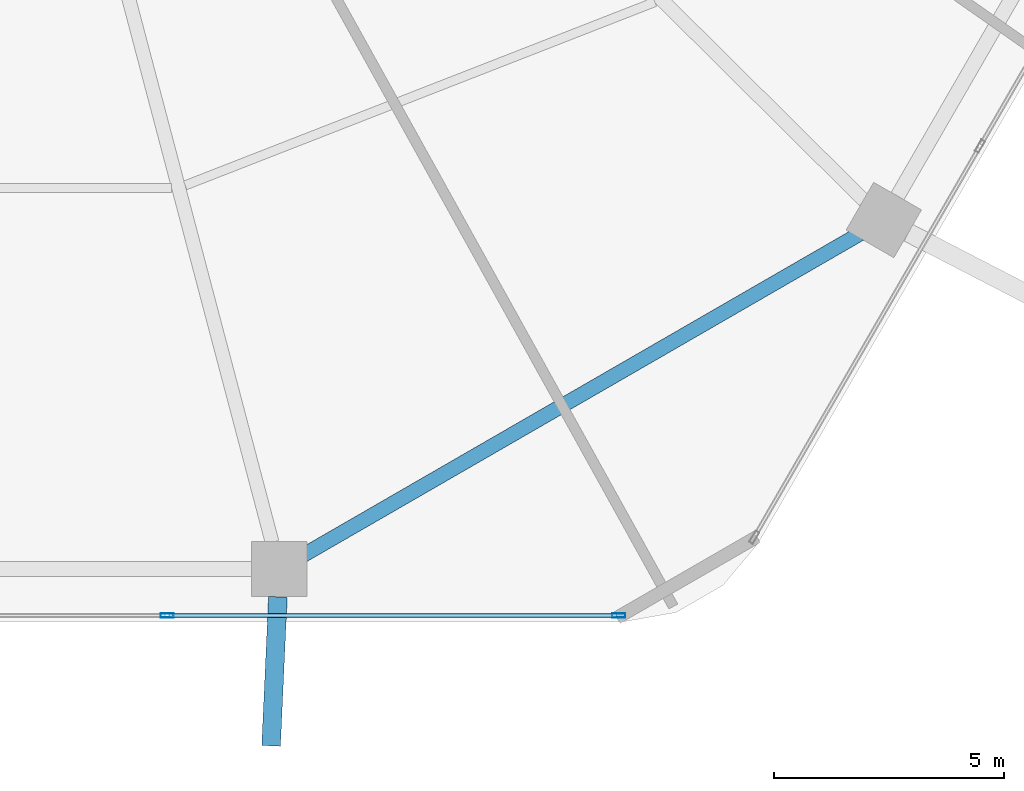
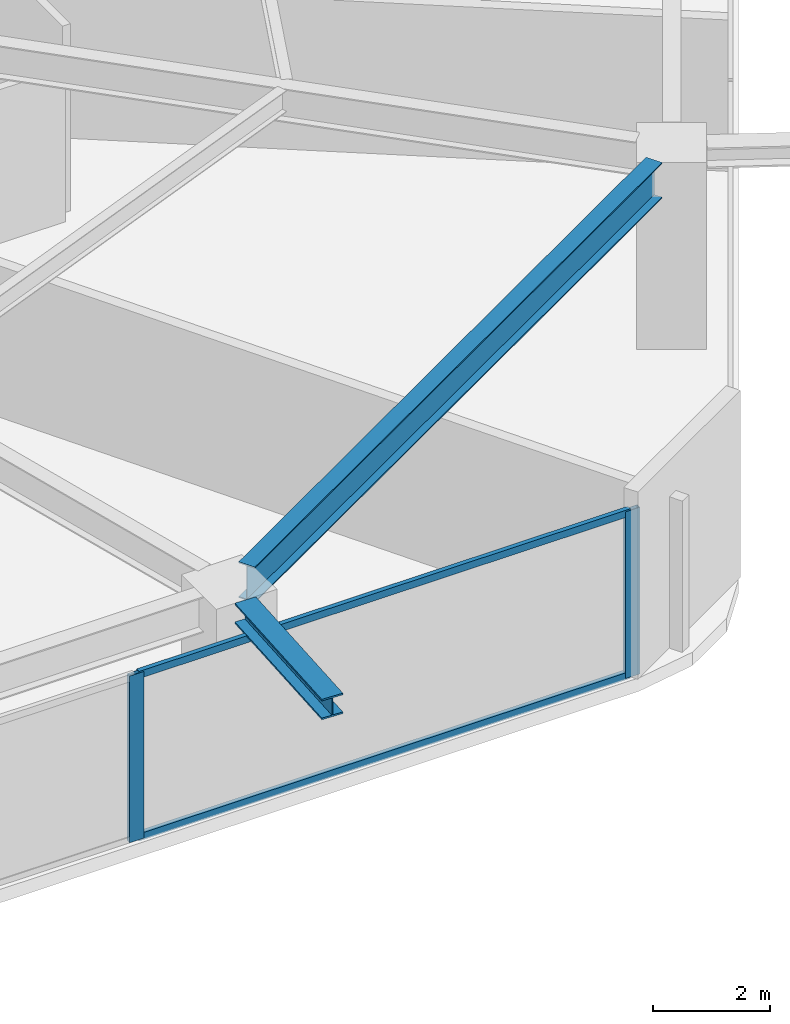
# One storey, part 7 of 26: 4 members, 2 beams, 1 element without a shape of its own.
"""IFC4 building model written with IfcOpenShell, lengths in metres."""

from ifc_helpers import new_model, si_unit, direction, frame, origin, origin_2d, place, context, subcontext, project, spatial, hollow_rectangle, i_section, extrude, material, material_profile, profile_set, type_object, element, aggregate, save


model = new_model("IFC4")

# Units and contexts
model_context = context("Model", 3, precision=1e-05, world=origin(), true_north=direction((0.0, 1.0)))
body_context = subcontext(model_context, "Body", "Model", "MODEL_VIEW")
ifc_project = project(units=[si_unit("LENGTHUNIT", "METRE"), si_unit("AREAUNIT", "SQUARE_METRE"), si_unit("VOLUMEUNIT", "CUBIC_METRE"), si_unit("PLANEANGLEUNIT", "RADIAN"), si_unit("MASSUNIT", "GRAM", prefix="KILO")], contexts=[model_context])

# Site, building, storey
site_placement = place(None, origin())
site = spatial("IfcSite", under=ifc_project, at=site_placement, CompositionType="ELEMENT")
building_placement = place(site_placement, origin())
building = spatial("IfcBuilding", under=site, at=building_placement, Name="Zuhravey Tower", CompositionType="ELEMENT")
storey_placement = place(building_placement, frame((0.0, 0.0, 28.800048828125)))
storey = spatial("IfcBuildingStorey", under=building, at=storey_placement, Name="L07", CompositionType="ELEMENT", Elevation=28.800048828125)

# Curtain wall, members
ifc_material_1 = material(Name="Thermally broken anodised aluminium", Category="aluminium")
curtain_wall_type = type_object("IfcCurtainWallType", Name="School Low-E Unitised Curtain Wall CW1", PredefinedType="NOTDEFINED", material=ifc_material_1)
curtain_wall_placement = place(storey_placement, origin())
curtain_wall = element("IfcCurtainWall", 1, at=curtain_wall_placement, inside=storey, type_object=curtain_wall_type, Name="L07 CW1 CW-L07-F5-1", PredefinedType="NOTDEFINED")
ifc_material_2 = material(Name="Anodised aluminium", Category="aluminium")
ifc_material_profile_1 = material_profile(ifc_material_2, hollow_rectangle(XDim=0.090087890625, YDim=0.284912109375, WallThickness=0.0048828125, at=origin_2d()), Name="ALU-RHS-90x285x5")
ifc_profile_set_1 = profile_set([ifc_material_profile_1], Name="Anodised aluminium")
member_type_1 = type_object("IfcMemberType", Name="Curtain-Wall Mullion 90x180", PredefinedType="MULLION", material=ifc_profile_set_1)
member_1_placement = place(storey_placement, frame((50.75439453125, 3.04150390625, 0.0), z_axis=(0.0, 0.0, 1.0), x_axis=(0.0, -1.0, 0.0)))
member_1 = element("IfcMember", 2, at=member_1_placement, type_object=member_type_1, Name="CW1 mullion 1", PredefinedType="MULLION", context=body_context, shape_type="SweptSolid", body=[
    extrude(hollow_rectangle(XDim=0.090087890625, YDim=0.284912109375, WallThickness=0.0048828125, at=origin_2d()), origin(), (0.0, 0.0, 1.0), 3.491943359375),
])
member_2_placement = place(storey_placement, frame((40.93310546875, 3.04150390625, 0.0), z_axis=(0.0, 0.0, 1.0), x_axis=(0.0, -1.0, 0.0)))
member_2 = element("IfcMember", 3, at=member_2_placement, type_object=member_type_1, Name="CW1 mullion 2", PredefinedType="MULLION", context=body_context, shape_type="SweptSolid", body=[
    extrude(hollow_rectangle(XDim=0.090087890625, YDim=0.284912109375, WallThickness=0.0048828125, at=origin_2d()), origin(), (0.0, 0.0, 1.0), 3.491943359375),
])
ifc_material_profile_2 = material_profile(ifc_material_2, hollow_rectangle(XDim=0.090087890625, YDim=0.14990234375, WallThickness=0.0048828125, at=origin_2d()), Name="ALU-RHS-90x150x5")
ifc_profile_set_2 = profile_set([ifc_material_profile_2], Name="Anodised aluminium")
member_type_2 = type_object("IfcMemberType", Name="Curtain-Wall Transom 90x150", PredefinedType="USERDEFINED", material=ifc_profile_set_2)
member_3_placement = place(storey_placement, frame((50.70947265625, 3.04150390625, 0.044921875), z_axis=(-1.0, 0.0, 0.0), x_axis=(0.0, -1.0, 0.0)))
member_3 = element("IfcMember", 4, at=member_3_placement, type_object=member_type_2, Name="CW1 transom 1.1", ObjectType="TRANSOM", PredefinedType="USERDEFINED", context=body_context, shape_type="SweptSolid", body=[
    extrude(hollow_rectangle(XDim=0.090087890625, YDim=0.14990234375, WallThickness=0.0048828125, at=origin_2d()), origin(), (0.0, 0.0, 1.0), 9.731201171875),
])
member_4_placement = place(storey_placement, frame((50.70947265625, 3.04150390625, 3.447021484375), z_axis=(-1.0, 0.0, 0.0), x_axis=(0.0, -1.0, 0.0)))
member_4 = element("IfcMember", 5, at=member_4_placement, type_object=member_type_2, Name="CW1 transom 1.2", ObjectType="TRANSOM", PredefinedType="USERDEFINED", context=body_context, shape_type="SweptSolid", body=[
    extrude(hollow_rectangle(XDim=0.090087890625, YDim=0.14990234375, WallThickness=0.0048828125, at=origin_2d()), origin(), (0.0, 0.0, 1.0), 9.731201171875),
])
aggregate(curtain_wall, [member_1, member_2, member_3, member_4])

# Beams
ifc_material_3 = material(Name="Steel SM460", Category="steel")
ifc_material_profile_3 = material_profile(ifc_material_3, i_section(OverallWidth=0.406982421875, OverallDepth=0.427978515625, WebThickness=0.02001953125, FlangeThickness=0.034912109375, at=origin_2d()), Name="H-428x407x20x35")
ifc_profile_set_3 = profile_set([ifc_material_profile_3], Name="Steel SM460")
beam_type_1 = type_object("IfcBeamType", Name="Exoskeleton Node Tie Beam H428x407", PredefinedType="BEAM", material=ifc_profile_set_3)
beam_1_placement = place(storey_placement, frame((43.342529296875, 3.447509765625, 3.7060546875), z_axis=(-0.045602227077, -0.998959677307, 0.0), x_axis=(0.998959677307, -0.045602227077, 0.0)))
element("IfcBeam", 6, at=beam_1_placement, inside=storey, type_object=beam_type_1, Name="L07 Exoskeleton Node Tie NT1-10", PredefinedType="BEAM", context=body_context, shape_type="SweptSolid", body=[
    extrude(i_section(OverallWidth=0.406982421875, OverallDepth=0.427978515625, WebThickness=0.02001953125, FlangeThickness=0.034912109375, at=origin_2d()), origin(), (0.0, 0.0, 1.0), 3.244384765625),
])
ifc_material_4 = material(Name="Steel SM355", Category="steel")
ifc_material_profile_4 = material_profile(ifc_material_4, i_section(OverallWidth=0.320068359375, OverallDepth=0.75, WebThickness=0.013916015625, FlangeThickness=0.02490234375, at=origin_2d()), Name="H-750x320x14x25")
ifc_profile_set_4 = profile_set([ifc_material_profile_4], Name="Steel SM355")
beam_type_2 = type_object("IfcBeamType", Name="Perimeter Ring Beam H750x320", PredefinedType="BEAM", material=ifc_profile_set_4)
beam_2_placement = place(storey_placement, frame((43.89208984375, 4.35302734375, 3.544921875), z_axis=(0.866029969761, 0.499992091414, 0.0), x_axis=(-0.499992091414, 0.866029969761, 0.0)))
element("IfcBeam", 7, at=beam_2_placement, inside=storey, type_object=beam_type_2, Name="L07 PB1 BM-L07-PB-10", PredefinedType="BEAM", context=body_context, shape_type="SweptSolid", body=[
    extrude(i_section(OverallWidth=0.320068359375, OverallDepth=0.75, WebThickness=0.013916015625, FlangeThickness=0.02490234375, at=origin_2d()), origin(), (0.0, 0.0, 1.0), 13.977294921875),
])

save(model, "model.ifc")
